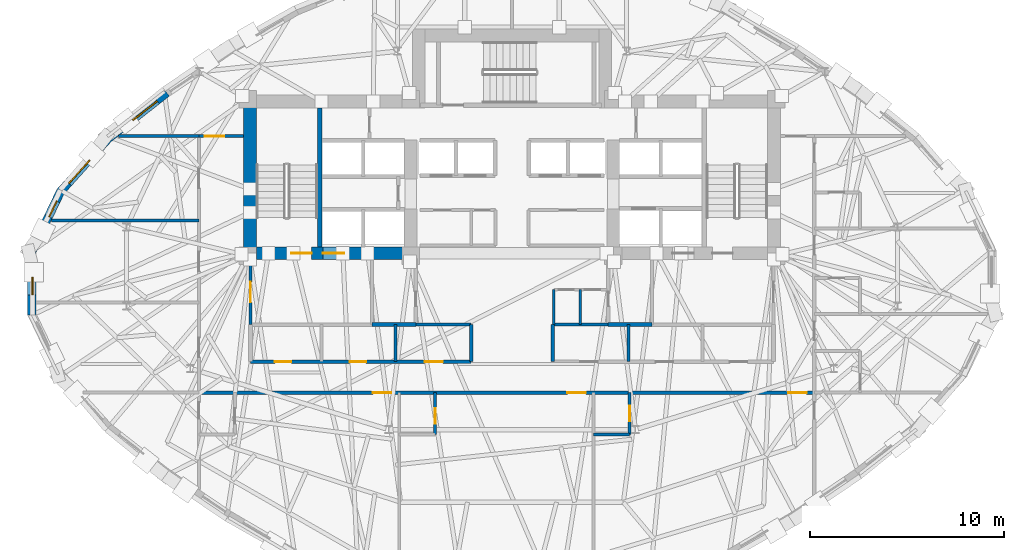
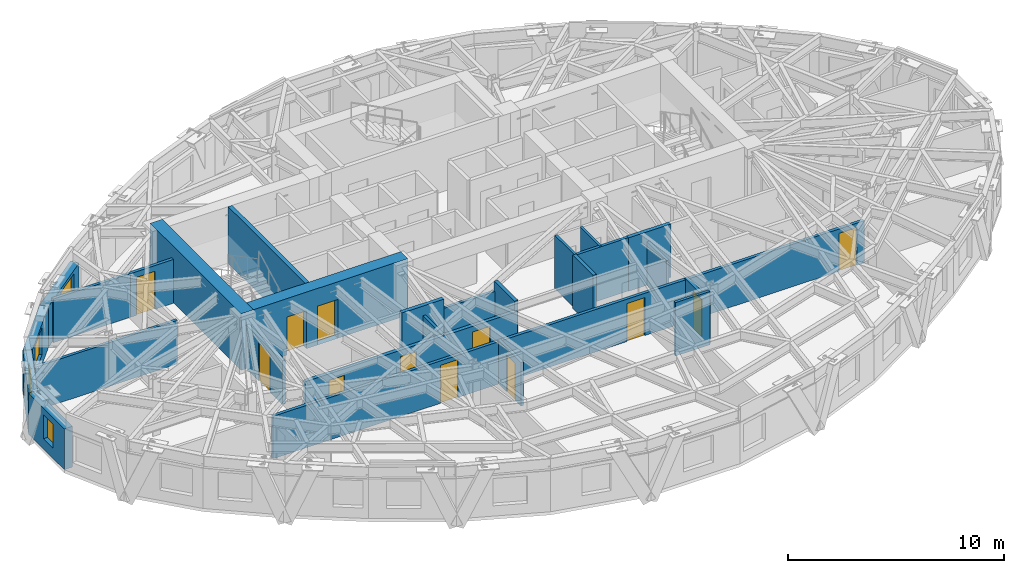
# One storey, part 6 of 14: 26 walls, 12 doors, 4 windows, 16 openings.
"""IFC4 building model written with IfcOpenShell, lengths in metres."""

from ifc_helpers import new_model, si_unit, direction, frame, frame_2d, origin, place, context, subcontext, project, spatial, rectangle, extrude, material, layer, layer_set, type_object, element, fill, save


model = new_model("IFC4")

# Units and contexts
model_context = context("Model", 3, precision=1e-05, world=origin(), true_north=direction((0.0, 1.0)))
body_context = subcontext(model_context, "Body", "Model", "MODEL_VIEW")
ifc_project = project(units=[si_unit("LENGTHUNIT", "METRE"), si_unit("AREAUNIT", "SQUARE_METRE"), si_unit("VOLUMEUNIT", "CUBIC_METRE"), si_unit("PLANEANGLEUNIT", "RADIAN"), si_unit("MASSUNIT", "GRAM", prefix="KILO")], contexts=[model_context])

# Site, building, storey
site_placement = place(None, origin())
site = spatial("IfcSite", under=ifc_project, at=site_placement, CompositionType="ELEMENT")
building_placement = place(site_placement, origin())
building = spatial("IfcBuilding", under=site, at=building_placement, Name="Keldmark Tower", CompositionType="ELEMENT")
storey_placement = place(building_placement, frame((0.0, 0.0, 185.39990234375)))
storey = spatial("IfcBuildingStorey", under=building, at=storey_placement, Name="L51", CompositionType="ELEMENT", Elevation=185.39990234375)

# Wall, openings, doors
ifc_material_1 = material(Name="Heavy Acoustic Plumbing Chase Gypsum Assembly", Category="gypsum")
ifc_layer_1 = layer(ifc_material_1, 0.18994140625)
ifc_layer_set_1 = layer_set([ifc_layer_1], Name="Heavy Acoustic Plumbing Chase Gypsum Assembly")
wall_type_1 = type_object("IfcWallType", Name="Heavy Wet Wall 190 mm", PredefinedType="PLUMBINGWALL", material=ifc_layer_set_1)
wall_1_placement = place(storey_placement, frame((-13.449951171875, -4.050048828125, 0.0), z_axis=(0.0, 0.0, 1.0), x_axis=(1.0, 0.0, 0.0)))
wall_1 = element("IfcWall", 1, at=wall_1_placement, inside=storey, type_object=wall_type_1, Name="L51 Heavy Wet Wall 190 mm SPK-W-S", PredefinedType="PLUMBINGWALL", context=body_context, shape_type="SweptSolid", body=[
    extrude(rectangle(XDim=11.349853515625, YDim=0.18994140625, at=frame_2d((5.6748046875, 0.0))), origin(), (0.0, 0.0, 1.0), 2.47314453125),
])
opening_1_placement = place(wall_1_placement, frame((1.25, 0.0, 0.0)))
opening_1 = element("IfcOpeningElement", 2, at=opening_1_placement, cuts=wall_1, Name="Opening D-WC085", PredefinedType="OPENING", context=body_context, shape_type="SweptSolid", body=[
    extrude(rectangle(XDim=0.85009765625, YDim=2.10009765625, at=frame_2d((0.425048828125, 1.050048828125))), frame((0.0, 0.10498046875, 0.0), z_axis=(0.0, -1.0, 0.0), x_axis=(1.0, 0.0, 0.0)), (0.0, 0.0, 1.0), 0.2099609375),
])
opening_2_placement = place(wall_1_placement, frame((5.10009765625, 0.0, 0.0)))
opening_2 = element("IfcOpeningElement", 3, at=opening_2_placement, cuts=wall_1, Name="Opening D-WC085", PredefinedType="OPENING", context=body_context, shape_type="SweptSolid", body=[
    extrude(rectangle(XDim=0.85009765625, YDim=2.10009765625, at=frame_2d((0.425048828125, 1.050048828125))), frame((0.0, 0.10498046875, 0.0), z_axis=(0.0, -1.0, 0.0), x_axis=(1.0, 0.0, 0.0)), (0.0, 0.0, 1.0), 0.2099609375),
])
opening_3_placement = place(wall_1_placement, frame((8.949951171875, 0.0, 0.0)))
opening_3 = element("IfcOpeningElement", 4, at=opening_3_placement, cuts=wall_1, Name="Opening D-AWC95", PredefinedType="OPENING", context=body_context, shape_type="SweptSolid", body=[
    extrude(rectangle(XDim=0.949951171875, YDim=2.14990234375, at=frame_2d((0.47509765625, 1.074951171875))), frame((0.0, 0.10498046875, 0.0), z_axis=(0.0, -1.0, 0.0), x_axis=(1.0, 0.0, 0.0)), (0.0, 0.0, 1.0), 0.2099609375),
])
ifc_material_2 = material(Name="Painted Solid-Core Architectural Wood", Category="wood")
door_type_1 = type_object("IfcDoorType", Name="Accessible WC Door 950x2150", OperationType="NOTDEFINED", PredefinedType="DOOR", material=ifc_material_2)
door_1_placement = place(opening_3_placement, origin())
door_1 = element("IfcDoor", 5, at=door_1_placement, inside=storey, type_object=door_type_1, Name="L51 Accessible WC Door 950x2150 D-SPKW3-L51", OperationType="SINGLE_SWING_LEFT", OverallHeight=2.14990234375, OverallWidth=0.949951171875, PredefinedType="DOOR", context=body_context, shape_type="SweptSolid", body=[
    extrude(rectangle(XDim=0.949951171875, YDim=2.14990234375, at=frame_2d((0.47509765625, 1.074951171875))), frame((0.0, 0.02490234375, 0.0), z_axis=(0.0, -1.0, 0.0), x_axis=(1.0, 0.0, 0.0)), (0.0, 0.0, 1.0), 0.050048828125),
])
fill(opening_3, door_1)
ifc_material_3 = material(Name="Moisture-Sealed Painted Wood", Category="wood")
door_type_2 = type_object("IfcDoorType", Name="WC Door 850x2100", OperationType="NOTDEFINED", PredefinedType="DOOR", material=ifc_material_3)
door_2_placement = place(opening_1_placement, origin())
door_2 = element("IfcDoor", 6, at=door_2_placement, inside=storey, type_object=door_type_2, Name="L51 WC Door 850x2100 D-SPKW1-L51", OperationType="SINGLE_SWING_LEFT", OverallHeight=2.10009765625, OverallWidth=0.85009765625, PredefinedType="DOOR", context=body_context, shape_type="SweptSolid", body=[
    extrude(rectangle(XDim=0.85009765625, YDim=2.10009765625, at=frame_2d((0.425048828125, 1.050048828125))), frame((0.0, 0.02490234375, 0.0), z_axis=(0.0, -1.0, 0.0), x_axis=(1.0, 0.0, 0.0)), (0.0, 0.0, 1.0), 0.050048828125),
])
fill(opening_1, door_2)
door_3_placement = place(opening_2_placement, origin())
door_3 = element("IfcDoor", 7, at=door_3_placement, inside=storey, type_object=door_type_2, Name="L51 WC Door 850x2100 D-SPKW2-L51", OperationType="SINGLE_SWING_RIGHT", OverallHeight=2.10009765625, OverallWidth=0.85009765625, PredefinedType="DOOR", context=body_context, shape_type="SweptSolid", body=[
    extrude(rectangle(XDim=0.85009765625, YDim=2.10009765625, at=frame_2d((0.425048828125, 1.050048828125))), frame((0.0, 0.02490234375, 0.0), z_axis=(0.0, -1.0, 0.0), x_axis=(1.0, 0.0, 0.0)), (0.0, 0.0, 1.0), 0.050048828125),
])
fill(opening_2, door_3)

# Walls
for number, where, z_axis, x_axis, name in (
    (8, (-2.10009765625, -4.050048828125, 0.0), (0.0, 0.0, 1.0), (0.0, 1.0, 0.0), "L51 Heavy Wet Wall 190 mm SPK-W-E"),
    (9, (2.10009765625, -4.050048828125, 0.0), (0.0, 0.0, 1.0), (0.0, 1.0, 0.0), "L51 Heavy Wet Wall 190 mm SPK-E-W"),
):
    element("IfcWall", number, at=place(storey_placement, frame(where, z_axis=z_axis, x_axis=x_axis)), inside=storey, type_object=wall_type_1, Name=name, PredefinedType="PLUMBINGWALL", context=body_context, shape_type="SweptSolid", body=[
        extrude(rectangle(XDim=1.900146484375, YDim=0.18994140625, at=frame_2d((0.9501953125, 0.0))), origin(), (0.0, 0.0, 1.0), 3.02001953125),
    ])
ifc_material_4 = material(Name="Acoustic Gypsum Board Interior Partition", Category="gypsum")
ifc_layer_2 = layer(ifc_material_4, 0.1298828125)
ifc_layer_set_2 = layer_set([ifc_layer_2], Name="Acoustic Gypsum Board Interior Partition")
wall_type_2 = type_object("IfcWallType", Name="Interior Partition 130 mm", PredefinedType="PARTITIONING", material=ifc_layer_set_2)
for number, where, z_axis, x_axis, name in (
    (10, (2.14990234375, -2.14990234375, 0.0), (0.0, 0.0, 1.0), (0.0, 1.0, 0.0), "L51 Interior Partition 130 mm CSC-E-W"),
    (11, (3.5, -2.14990234375, 0.0), (0.0, 0.0, 1.0), (0.0, 1.0, 0.0), "L51 Interior Partition 130 mm CSC-E-M"),
):
    element("IfcWall", number, at=place(storey_placement, frame(where, z_axis=z_axis, x_axis=x_axis)), inside=storey, type_object=wall_type_2, Name=name, PredefinedType="PARTITIONING", context=body_context, shape_type="SweptSolid", body=[
        extrude(rectangle(XDim=1.7998046875, YDim=0.1298828125, at=frame_2d((0.89990234375, 0.0))), origin(), (0.0, 0.0, 1.0), 3.02001953125),
    ])

# Wall, opening, door
ifc_material_5 = material(Name="Type X Fire-Rated Gypsum Partition Assembly", Category="gypsum")
ifc_layer_3 = layer(ifc_material_5, 0.1650390625)
ifc_layer_set_3 = layer_set([ifc_layer_3], Name="Type X Fire-Rated Gypsum Partition Assembly")
wall_type_3 = type_object("IfcWallType", Name="Rated Partition 165 mm", PredefinedType="PARTITIONING", material=ifc_layer_set_3)
wall_2_placement = place(storey_placement, frame((-13.449951171875, -2.14990234375, 0.0), z_axis=(0.0, 0.0, 1.0), x_axis=(0.0, 1.0, 0.0)))
wall_2 = element("IfcWall", 12, at=wall_2_placement, inside=storey, type_object=wall_type_3, Name="L51 Rated Partition 165 mm FSAE-W-W", PredefinedType="PARTITIONING", context=body_context, shape_type="SweptSolid", body=[
    extrude(rectangle(XDim=3.39990234375, YDim=0.1650390625, at=frame_2d((1.699951171875, 0.0))), origin(), (0.0, 0.0, 1.0), 2.47314453125),
])
opening_4_placement = place(wall_2_placement, frame((1.14990234375, 0.0, 0.0)))
opening_4 = element("IfcOpeningElement", 13, at=opening_4_placement, cuts=wall_2, Name="Opening D-FL105", PredefinedType="OPENING", context=body_context, shape_type="SweptSolid", body=[
    extrude(rectangle(XDim=1.050048828125, YDim=2.14990234375, at=frame_2d((0.52490234375, 1.074951171875))), frame((0.0, 0.092529296875, 0.0), z_axis=(0.0, -1.0, 0.0), x_axis=(1.0, 0.0, 0.0)), (0.0, 0.0, 1.0), 0.18505859375),
])
ifc_material_6 = material(Name="Fire-Rated Mineral-Core Door and Vision Lite", Category="metal")
door_type_3 = type_object("IfcDoorType", Name="Fire Lobby Door 1050x2150", OperationType="NOTDEFINED", PredefinedType="DOOR", material=ifc_material_6)
door_4_placement = place(opening_4_placement, origin())
door_4 = element("IfcDoor", 14, at=door_4_placement, inside=storey, type_object=door_type_3, Name="L51 Fire Lobby Door 1050x2150 D-FSAEW-OUT-L51", OperationType="SINGLE_SWING_LEFT", OverallHeight=2.14990234375, OverallWidth=1.050048828125, PredefinedType="DOOR", context=body_context, shape_type="SweptSolid", body=[
    extrude(rectangle(XDim=1.050048828125, YDim=2.14990234375, at=frame_2d((0.52490234375, 1.074951171875))), frame((0.0, 0.02490234375, 0.0), z_axis=(0.0, -1.0, 0.0), x_axis=(1.0, 0.0, 0.0)), (0.0, 0.0, 1.0), 0.050048828125),
])
fill(opening_4, door_4)

# Wall, openings, doors
wall_3_placement = place(storey_placement, frame((-16.10009765625, -5.64990234375, 0.0), z_axis=(0.0, 0.0, 1.0), x_axis=(1.0, 0.0, 0.0)))
wall_3 = element("IfcWall", 15, at=wall_3_placement, inside=storey, type_object=wall_type_3, Name="L51 Rated Partition 165 mm HCOR-S", PredefinedType="PARTITIONING", context=body_context, shape_type="SweptSolid", body=[
    extrude(rectangle(XDim=31.650146484375, YDim=0.1650390625, at=frame_2d((15.8251953125, 0.0))), origin(), (0.0, 0.0, 1.0), 2.398193359375),
])
opening_5_placement = place(wall_3_placement, frame((8.949951171875, 0.0, 0.0)))
opening_5 = element("IfcOpeningElement", 16, at=opening_5_placement, cuts=wall_3, Name="Opening D-HT095", PredefinedType="OPENING", context=body_context, shape_type="SweptSolid", body=[
    extrude(rectangle(XDim=0.949951171875, YDim=2.14990234375, at=frame_2d((0.47509765625, 1.074951171875))), frame((0.0, 0.092529296875, 0.0), z_axis=(0.0, -1.0, 0.0), x_axis=(1.0, 0.0, 0.0)), (0.0, 0.0, 1.0), 0.18505859375),
])
opening_6_placement = place(wall_3_placement, frame((18.949951171875, 0.0, 0.0)))
opening_6 = element("IfcOpeningElement", 17, at=opening_6_placement, cuts=wall_3, Name="Opening D-HT095", PredefinedType="OPENING", context=body_context, shape_type="SweptSolid", body=[
    extrude(rectangle(XDim=0.949951171875, YDim=2.14990234375, at=frame_2d((0.47509765625, 1.074951171875))), frame((0.0, 0.092529296875, 0.0), z_axis=(0.0, -1.0, 0.0), x_axis=(1.0, 0.0, 0.0)), (0.0, 0.0, 1.0), 0.18505859375),
])
opening_7_placement = place(wall_3_placement, frame((30.300048828125, 0.0, 0.0)))
opening_7 = element("IfcOpeningElement", 18, at=opening_7_placement, cuts=wall_3, Name="Opening D-HT095", PredefinedType="OPENING", context=body_context, shape_type="SweptSolid", body=[
    extrude(rectangle(XDim=0.949951171875, YDim=2.14990234375, at=frame_2d((0.47509765625, 1.074951171875))), frame((0.0, 0.092529296875, 0.0), z_axis=(0.0, -1.0, 0.0), x_axis=(1.0, 0.0, 0.0)), (0.0, 0.0, 1.0), 0.18505859375),
])
ifc_material_7 = material(Name="Solid-Core Acoustic White Oak Fire-Rated Assembly", Category="wood")
door_type_4 = type_object("IfcDoorType", Name="Hotel Entry Door 950x2150", OperationType="NOTDEFINED", PredefinedType="DOOR", material=ifc_material_7)
door_5_placement = place(opening_5_placement, origin())
door_5 = element("IfcDoor", 19, at=door_5_placement, inside=storey, type_object=door_type_4, Name="L51 Hotel Entry Door 950x2150 D-HRS1-L51", OperationType="SINGLE_SWING_RIGHT", OverallHeight=2.14990234375, OverallWidth=0.949951171875, PredefinedType="DOOR", context=body_context, shape_type="SweptSolid", body=[
    extrude(rectangle(XDim=0.949951171875, YDim=2.14990234375, at=frame_2d((0.47509765625, 1.074951171875))), frame((0.0, 0.02490234375, 0.0), z_axis=(0.0, -1.0, 0.0), x_axis=(1.0, 0.0, 0.0)), (0.0, 0.0, 1.0), 0.050048828125),
])
fill(opening_5, door_5)
door_6_placement = place(opening_6_placement, origin())
door_6 = element("IfcDoor", 20, at=door_6_placement, inside=storey, type_object=door_type_4, Name="L51 Hotel Entry Door 950x2150 D-HRS2-L51", OperationType="SINGLE_SWING_LEFT", OverallHeight=2.14990234375, OverallWidth=0.949951171875, PredefinedType="DOOR", context=body_context, shape_type="SweptSolid", body=[
    extrude(rectangle(XDim=0.949951171875, YDim=2.14990234375, at=frame_2d((0.47509765625, 1.074951171875))), frame((0.0, 0.02490234375, 0.0), z_axis=(0.0, -1.0, 0.0), x_axis=(1.0, 0.0, 0.0)), (0.0, 0.0, 1.0), 0.050048828125),
])
fill(opening_6, door_6)
door_7_placement = place(opening_7_placement, origin())
door_7 = element("IfcDoor", 21, at=door_7_placement, inside=storey, type_object=door_type_4, Name="L51 Hotel Entry Door 950x2150 D-HRS3-L51", OperationType="SINGLE_SWING_RIGHT", OverallHeight=2.14990234375, OverallWidth=0.949951171875, PredefinedType="DOOR", context=body_context, shape_type="SweptSolid", body=[
    extrude(rectangle(XDim=0.949951171875, YDim=2.14990234375, at=frame_2d((0.47509765625, 1.074951171875))), frame((0.0, 0.02490234375, 0.0), z_axis=(0.0, -1.0, 0.0), x_axis=(1.0, 0.0, 0.0)), (0.0, 0.0, 1.0), 0.050048828125),
])
fill(opening_7, door_7)

# Wall, opening, door
wall_4_placement = place(storey_placement, frame((-16.10009765625, 7.550048828125, 0.0), z_axis=(0.0, 0.0, 1.0), x_axis=(1.0, 0.0, 0.0)))
wall_4 = element("IfcWall", 22, at=wall_4_placement, inside=storey, type_object=wall_type_3, Name="L51 Rated Partition 165 mm HCOR-WN", PredefinedType="PARTITIONING", context=body_context, shape_type="SweptSolid", body=[
    extrude(rectangle(XDim=2.300048828125, YDim=0.1650390625, at=frame_2d((1.14990234375, 0.0))), origin(), (0.0, 0.0, 1.0), 2.47314453125),
])
opening_8_placement = place(wall_4_placement, frame((0.300048828125, 0.0, 0.0)))
opening_8 = element("IfcOpeningElement", 23, at=opening_8_placement, cuts=wall_4, Name="Opening D-FD100", PredefinedType="OPENING", context=body_context, shape_type="SweptSolid", body=[
    extrude(rectangle(XDim=1.0, YDim=2.14990234375, at=frame_2d((0.5, 1.074951171875))), frame((0.0, 0.092529296875, 0.0), z_axis=(0.0, -1.0, 0.0), x_axis=(1.0, 0.0, 0.0)), (0.0, 0.0, 1.0), 0.18505859375),
])
ifc_material_8 = material(Name="Hollow Metal Fire-Rated Corridor Door", Category="metal")
door_type_5 = type_object("IfcDoorType", Name="Fire Door 1000x2150", OperationType="NOTDEFINED", PredefinedType="DOOR", material=ifc_material_8)
door_8_placement = place(opening_8_placement, origin())
door_8 = element("IfcDoor", 24, at=door_8_placement, inside=storey, type_object=door_type_5, Name="L51 Fire Door 1000x2150 D-HNNW-L51", OperationType="SINGLE_SWING_LEFT", OverallHeight=2.14990234375, OverallWidth=1.0, PredefinedType="DOOR", context=body_context, shape_type="SweptSolid", body=[
    extrude(rectangle(XDim=1.0, YDim=2.14990234375, at=frame_2d((0.5, 1.074951171875))), frame((0.0, 0.02490234375, 0.0), z_axis=(0.0, -1.0, 0.0), x_axis=(1.0, 0.0, 0.0)), (0.0, 0.0, 1.0), 0.050048828125),
])
fill(opening_8, door_8)

# Walls
ifc_material_9 = material(Name="Fire-Resistant Type X Gypsum Shaftliner Coreboard", Category="gypsum")
ifc_layer_4 = layer(ifc_material_9, 0.199951171875)
ifc_layer_set_4 = layer_set([ifc_layer_4], Name="Fire-Resistant Type X Gypsum Shaftliner Coreboard")
wall_type_4 = type_object("IfcWallType", Name="Shaft Wall 200 mm", PredefinedType="SOLIDWALL", material=ifc_layer_set_4)
for number, where, z_axis, x_axis, name in (
    (25, (-7.199951171875, -2.14990234375, 0.0), (0.0, 0.0, 1.0), (1.0, 0.0, 0.0), "L51 Shaft Wall 200 mm RIS-SW-S"),
    (26, (4.949951171875, -2.14990234375, 0.0), (0.0, 0.0, 1.0), (1.0, 0.0, 0.0), "L51 Shaft Wall 200 mm RIS-SE-S"),
):
    element("IfcWall", number, at=place(storey_placement, frame(where, z_axis=z_axis, x_axis=x_axis)), inside=storey, type_object=wall_type_4, Name=name, PredefinedType="SOLIDWALL", context=body_context, shape_type="SweptSolid", body=[
        extrude(rectangle(XDim=2.25, YDim=0.199951171875, at=frame_2d((1.125, 0.0))), origin(), (0.0, 0.0, 1.0), 3.02001953125),
    ])
ifc_material_10 = material(Name="Concrete C50/60", Category="concrete")
ifc_layer_5 = layer(ifc_material_10, 0.219970703125)
ifc_layer_set_5 = layer_set([ifc_layer_5], Name="Concrete C50/60")
wall_type_5 = type_object("IfcWallType", Name="Stair Core Shear Wall 220 mm", PredefinedType="SHEAR", material=ifc_layer_set_5)
wall_5_placement = place(storey_placement, frame((-9.889892578125, 1.85009765625, 0.0), z_axis=(0.0, 0.0, 1.0), x_axis=(0.0, 1.0, 0.0)))
element("IfcWall", 27, at=wall_5_placement, inside=storey, type_object=wall_type_5, Name="L51 West Stair Core Shear Wall", PredefinedType="SHEAR", context=body_context, shape_type="SweptSolid", body=[
    extrude(rectangle(XDim=7.14990234375, YDim=0.219970703125, at=frame_2d((3.574951171875, 0.0))), origin(), (0.0, 0.0, 1.0), 3.2001953125),
])

# Wall, opening, window
ifc_material_11 = material(Name="Ironspot Manganese Brick and Kasota Buff Limestone Spandrel Assembly", Category="masonry")
ifc_layer_6 = layer(ifc_material_11, 0.43994140625)
ifc_layer_set_6 = layer_set([ifc_layer_6], Name="Ironspot Manganese Brick and Kasota Buff Limestone Spandrel Assembly")
wall_type_6 = type_object("IfcWallType", Name="Tower Brick Pier and Spandrel Wall 440 mm", PredefinedType="STANDARD", material=ifc_layer_set_6)
wall_6_placement = place(storey_placement, frame((-20.787353515625, 7.408203125, 0.0), z_axis=(0.0, 0.0, 1.0), x_axis=(0.787518383176, 0.616291161838, 0.0)))
wall_6 = element("IfcWall", 28, at=wall_6_placement, inside=storey, type_object=wall_type_6, Name="L51 Exterior Brick and Spandrel Wall 13", PredefinedType="STANDARD", context=body_context, shape_type="SweptSolid", body=[
    extrude(rectangle(XDim=3.849853515625, YDim=0.43994140625, at=frame_2d((1.9248046875, 0.0))), origin(), (0.0, 0.0, 1.0), 2.315185546875),
])
opening_9_placement = place(wall_6_placement, frame((1.599609375, 0.0, 0.580078125)))
opening_9 = element("IfcOpeningElement", 29, at=opening_9_placement, cuts=wall_6, Name="Opening W-04", PredefinedType="OPENING", context=body_context, shape_type="SweptSolid", body=[
    extrude(rectangle(XDim=1.60009765625, YDim=1.550048828125, at=frame_2d((0.800048828125, 0.77490234375))), frame((0.0, 0.22998046875, 0.0), z_axis=(0.0, -1.0, 0.0), x_axis=(1.0, 0.0, 0.0)), (0.0, 0.0, 1.0), 0.4599609375),
])
ifc_material_12 = material(Name="Thermally Broken Anodized Aluminum and Triple Low-E Argon Glazing", Category="aluminium")
window_type_1 = type_object("IfcWindowType", Name="Hotel Deep-Set Operable Window 1600x1550", PartitioningType="DOUBLE_PANEL_HORIZONTAL", PredefinedType="WINDOW", material=ifc_material_12)
window_1_placement = place(opening_9_placement, origin())
window_1 = element("IfcWindow", 30, at=window_1_placement, inside=storey, type_object=window_type_1, Name="L51 Deep-Set Window 13", OverallHeight=1.550048828125, OverallWidth=1.60009765625, PartitioningType="SINGLE_PANEL", PredefinedType="WINDOW", context=body_context, shape_type="SweptSolid", body=[
    extrude(rectangle(XDim=1.60009765625, YDim=1.550048828125, at=frame_2d((0.800048828125, 0.77490234375))), frame((0.0, -0.010009765625, 0.0), z_axis=(0.0, -1.0, 0.0), x_axis=(1.0, 0.0, 0.0)), (0.0, 0.0, 1.0), 0.06005859375),
])
fill(opening_9, window_1)

wall_7_placement = place(storey_placement, frame((-23.2470703125, 4.667236328125, 0.0), z_axis=(0.0, 0.0, 1.0), x_axis=(0.668547778607, 0.743669192396, 0.0)))
wall_7 = element("IfcWall", 31, at=wall_7_placement, inside=storey, type_object=wall_type_6, Name="L51 Exterior Brick and Spandrel Wall 14", PredefinedType="STANDARD", context=body_context, shape_type="SweptSolid", body=[
    extrude(rectangle(XDim=3.72119140625, YDim=0.43994140625, at=frame_2d((1.860595703125, 0.0))), origin(), (0.0, 0.0, 1.0), 2.315185546875),
])
opening_10_placement = place(wall_7_placement, frame((0.642578125, 0.0, 0.580078125)))
opening_10 = element("IfcOpeningElement", 32, at=opening_10_placement, cuts=wall_7, Name="Opening W-04", PredefinedType="OPENING", context=body_context, shape_type="SweptSolid", body=[
    extrude(rectangle(XDim=1.60009765625, YDim=1.550048828125, at=frame_2d((0.800048828125, 0.77490234375))), frame((0.0, 0.22998046875, 0.0), z_axis=(0.0, -1.0, 0.0), x_axis=(1.0, 0.0, 0.0)), (0.0, 0.0, 1.0), 0.4599609375),
])
window_2_placement = place(opening_10_placement, origin())
window_2 = element("IfcWindow", 33, at=window_2_placement, inside=storey, type_object=window_type_1, Name="L51 Deep-Set Window 14", OverallHeight=1.550048828125, OverallWidth=1.60009765625, PartitioningType="SINGLE_PANEL", PredefinedType="WINDOW", context=body_context, shape_type="SweptSolid", body=[
    extrude(rectangle(XDim=1.60009765625, YDim=1.550048828125, at=frame_2d((0.800048828125, 0.77490234375))), frame((0.0, -0.010009765625, 0.0), z_axis=(0.0, -1.0, 0.0), x_axis=(1.0, 0.0, 0.0)), (0.0, 0.0, 1.0), 0.06005859375),
])
fill(opening_10, window_2)

wall_8_placement = place(storey_placement, frame((-24.724609375, 1.56884765625, 0.0), z_axis=(0.0, 0.0, 1.0), x_axis=(0.43276286683, 0.90150779314, 0.0)))
wall_8 = element("IfcWall", 34, at=wall_8_placement, inside=storey, type_object=wall_type_6, Name="L51 Exterior Brick and Spandrel Wall 15", PredefinedType="STANDARD", context=body_context, shape_type="SweptSolid", body=[
    extrude(rectangle(XDim=3.494384765625, YDim=0.43994140625, at=frame_2d((1.7470703125, 0.0))), origin(), (0.0, 0.0, 1.0), 2.315185546875),
])
opening_11_placement = place(wall_8_placement, frame((2.04541015625, 0.0, 0.580078125)))
opening_11 = element("IfcOpeningElement", 35, at=opening_11_placement, cuts=wall_8, Name="Opening W-09", PredefinedType="OPENING", context=body_context, shape_type="SweptSolid", body=[
    extrude(rectangle(XDim=0.89990234375, YDim=1.35009765625, at=frame_2d((0.449951171875, 0.675048828125))), frame((0.0, 0.22998046875, 0.0), z_axis=(0.0, -1.0, 0.0), x_axis=(1.0, 0.0, 0.0)), (0.0, 0.0, 1.0), 0.4599609375),
])
ifc_material_13 = material(Name="Thermally Broken Anodized Aluminum and Triple Low-E Argon Glazing", Category="aluminium")
window_type_2 = type_object("IfcWindowType", Name="Corner Pier Deep-Set Window 900x1350", PartitioningType="SINGLE_PANEL", PredefinedType="WINDOW", material=ifc_material_13)
window_3_placement = place(opening_11_placement, origin())
window_3 = element("IfcWindow", 36, at=window_3_placement, inside=storey, type_object=window_type_2, Name="L51 Deep-Set Window 15", OverallHeight=1.35009765625, OverallWidth=0.89990234375, PartitioningType="SINGLE_PANEL", PredefinedType="WINDOW", context=body_context, shape_type="SweptSolid", body=[
    extrude(rectangle(XDim=0.89990234375, YDim=1.35009765625, at=frame_2d((0.449951171875, 0.675048828125))), frame((0.0, -0.010009765625, 0.0), z_axis=(0.0, -1.0, 0.0), x_axis=(1.0, 0.0, 0.0)), (0.0, 0.0, 1.0), 0.06005859375),
])
fill(opening_11, window_3)

wall_9_placement = place(storey_placement, frame((-24.702880859375, -1.6640625, 0.0), z_axis=(0.0, 0.0, 1.0), x_axis=(0.0, 1.0, 0.0)))
wall_9 = element("IfcWall", 37, at=wall_9_placement, inside=storey, type_object=wall_type_6, Name="L51 Exterior Brick and Spandrel Wall 16", PredefinedType="STANDARD", context=body_context, shape_type="SweptSolid", body=[
    extrude(rectangle(XDim=3.328125, YDim=0.43994140625, at=frame_2d((1.6640625, 0.0))), origin(), (0.0, 0.0, 1.0), 2.315185546875),
])
opening_12_placement = place(wall_9_placement, frame((1.041015625, 0.0, 0.580078125)))
opening_12 = element("IfcOpeningElement", 38, at=opening_12_placement, cuts=wall_9, Name="Opening W-09", PredefinedType="OPENING", context=body_context, shape_type="SweptSolid", body=[
    extrude(rectangle(XDim=0.89990234375, YDim=1.35009765625, at=frame_2d((0.449951171875, 0.675048828125))), frame((0.0, 0.22998046875, 0.0), z_axis=(0.0, -1.0, 0.0), x_axis=(1.0, 0.0, 0.0)), (0.0, 0.0, 1.0), 0.4599609375),
])
window_4_placement = place(opening_12_placement, origin())
window_4 = element("IfcWindow", 39, at=window_4_placement, inside=storey, type_object=window_type_2, Name="L51 Deep-Set Window 16", OverallHeight=1.35009765625, OverallWidth=0.89990234375, PartitioningType="SINGLE_PANEL", PredefinedType="WINDOW", context=body_context, shape_type="SweptSolid", body=[
    extrude(rectangle(XDim=0.89990234375, YDim=1.35009765625, at=frame_2d((0.449951171875, 0.675048828125))), frame((0.0, -0.010009765625, 0.0), z_axis=(0.0, -1.0, 0.0), x_axis=(1.0, 0.0, 0.0)), (0.0, 0.0, 1.0), 0.06005859375),
])
fill(opening_12, window_4)

# Wall
ifc_material_14 = material(Name="Concrete C50/60", Category="concrete")
ifc_layer_7 = layer(ifc_material_14, 0.64990234375)
ifc_layer_set_7 = layer_set([ifc_layer_7], Name="Concrete C50/60")
wall_type_7 = type_object("IfcWallType", Name="Upper-Mid Core Shear Wall 650 mm", PredefinedType="SHEAR", material=ifc_layer_set_7)
wall_10_placement = place(storey_placement, frame((-13.47509765625, 1.199951171875, 0.0), z_axis=(0.0, 0.0, 1.0), x_axis=(0.0, 1.0, 0.0)))
element("IfcWall", 40, at=wall_10_placement, inside=storey, type_object=wall_type_7, Name="L51 West Core Outer Shear Wall", PredefinedType="SHEAR", context=body_context, shape_type="SweptSolid", body=[
    extrude(rectangle(XDim=8.449951171875, YDim=0.64990234375, at=frame_2d((4.22509765625, 0.0))), origin(), (0.0, 0.0, 1.0), 3.2001953125),
])

# Wall, openings, doors
wall_11_placement = place(storey_placement, frame((-4.875, 1.52490234375, 0.0), z_axis=(0.0, 0.0, 1.0), x_axis=(-1.0, 0.0, 0.0)))
wall_11 = element("IfcWall", 41, at=wall_11_placement, inside=storey, type_object=wall_type_7, Name="L51 West Core South Shear Wall", PredefinedType="SHEAR", context=body_context, shape_type="SweptSolid", body=[
    extrude(rectangle(XDim=8.925048828125, YDim=0.64990234375, at=frame_2d((4.46240234375, 0.0))), origin(), (0.0, 0.0, 1.0), 3.2001953125),
])
opening_13_placement = place(wall_11_placement, frame((5.425048828125, 0.0, 0.0)))
opening_13 = element("IfcOpeningElement", 42, at=opening_13_placement, cuts=wall_11, Name="Opening D-ST105", PredefinedType="OPENING", context=body_context, shape_type="SweptSolid", body=[
    extrude(rectangle(XDim=1.050048828125, YDim=2.14990234375, at=frame_2d((0.52490234375, 1.074951171875))), frame((0.0, 0.3349609375, 0.0), z_axis=(0.0, -1.0, 0.0), x_axis=(1.0, 0.0, 0.0)), (0.0, 0.0, 1.0), 0.669921875),
])
opening_14_placement = place(wall_11_placement, frame((3.7548828125, 0.0, 0.0)))
opening_14 = element("IfcOpeningElement", 43, at=opening_14_placement, cuts=wall_11, Name="Opening LD-110", PredefinedType="OPENING", context=body_context, shape_type="SweptSolid", body=[
    extrude(rectangle(XDim=1.10009765625, YDim=2.199951171875, at=frame_2d((0.550048828125, 1.10009765625))), frame((0.0, 0.3349609375, 0.0), z_axis=(0.0, -1.0, 0.0), x_axis=(1.0, 0.0, 0.0)), (0.0, 0.0, 1.0), 0.669921875),
])
ifc_material_15 = material(Name="Brushed Bronze Hoistway Sliding Leaf", Category="metal")
door_type_6 = type_object("IfcDoorType", Name="Lift Landing Sliding Door 1100x2200", OperationType="SLIDING_TO_LEFT", PredefinedType="DOOR", material=ifc_material_15)
door_9_placement = place(opening_14_placement, origin())
door_9 = element("IfcDoor", 44, at=door_9_placement, inside=storey, type_object=door_type_6, Name="L51 Lift Landing Sliding Door 1100x2200 LD-EL-FS1-L51", OperationType="SLIDING_TO_LEFT", OverallHeight=2.199951171875, OverallWidth=1.10009765625, PredefinedType="DOOR", context=body_context, shape_type="SweptSolid", body=[
    extrude(rectangle(XDim=1.10009765625, YDim=2.199951171875, at=frame_2d((0.550048828125, 1.10009765625))), frame((0.0, 0.02490234375, 0.0), z_axis=(0.0, -1.0, 0.0), x_axis=(1.0, 0.0, 0.0)), (0.0, 0.0, 1.0), 0.050048828125),
])
fill(opening_14, door_9)
ifc_material_16 = material(Name="Hollow Metal Fire-Rated Door Assembly", Category="metal")
door_type_7 = type_object("IfcDoorType", Name="Stair Fire Door 1050x2150", OperationType="NOTDEFINED", PredefinedType="DOOR", material=ifc_material_16)
door_10_placement = place(opening_13_placement, origin())
door_10 = element("IfcDoor", 45, at=door_10_placement, inside=storey, type_object=door_type_7, Name="L51 Stair Fire Door 1050x2150 D-ST1-L51", OperationType="SINGLE_SWING_RIGHT", OverallHeight=2.14990234375, OverallWidth=1.050048828125, PredefinedType="DOOR", context=body_context, shape_type="SweptSolid", body=[
    extrude(rectangle(XDim=1.050048828125, YDim=2.14990234375, at=frame_2d((0.52490234375, 1.074951171875))), frame((0.0, 0.02490234375, 0.0), z_axis=(0.0, -1.0, 0.0), x_axis=(1.0, 0.0, 0.0)), (0.0, 0.0, 1.0), 0.050048828125),
])
fill(opening_13, door_10)

# Walls
ifc_material_17 = material(Name="Moisture-Resistant Gypsum Plumbing Partition", Category="gypsum")
ifc_layer_8 = layer(ifc_material_17, 0.14990234375)
ifc_layer_set_8 = layer_set([ifc_layer_8], Name="Moisture-Resistant Gypsum Plumbing Partition")
wall_type_8 = type_object("IfcWallType", Name="Wet Wall 150 mm", PredefinedType="PLUMBINGWALL", material=ifc_layer_set_8)
wall_12_placement = place(storey_placement, frame((-4.949951171875, -2.14990234375, 0.0), z_axis=(0.0, 0.0, 1.0), x_axis=(1.0, 0.0, 0.0)))
element("IfcWall", 46, at=wall_12_placement, inside=storey, type_object=wall_type_8, Name="L51 Wet Wall 150 mm SPK-W-N", PredefinedType="PLUMBINGWALL", context=body_context, shape_type="SweptSolid", body=[
    extrude(rectangle(XDim=2.849853515625, YDim=0.14990234375, at=frame_2d((1.4248046875, 0.0))), origin(), (0.0, 0.0, 1.0), 2.47314453125),
])
wall_13_placement = place(storey_placement, frame((-6.0, -4.050048828125, 0.0), z_axis=(0.0, 0.0, 1.0), x_axis=(0.0, 1.0, 0.0)))
element("IfcWall", 47, at=wall_13_placement, inside=storey, type_object=wall_type_8, Name="L51 Wet Wall 150 mm SPK-W-D2", PredefinedType="PLUMBINGWALL", context=body_context, shape_type="SweptSolid", body=[
    extrude(rectangle(XDim=1.900146484375, YDim=0.14990234375, at=frame_2d((0.9501953125, 0.0))), origin(), (0.0, 0.0, 1.0), 2.47314453125),
])
wall_14_placement = place(storey_placement, frame((2.10009765625, -2.14990234375, 0.0), z_axis=(0.0, 0.0, 1.0), x_axis=(1.0, 0.0, 0.0)))
element("IfcWall", 48, at=wall_14_placement, inside=storey, type_object=wall_type_8, Name="L51 Wet Wall 150 mm SPK-E-N", PredefinedType="PLUMBINGWALL", context=body_context, shape_type="SweptSolid", body=[
    extrude(rectangle(XDim=2.849853515625, YDim=0.14990234375, at=frame_2d((1.4248046875, 0.0))), origin(), (0.0, 0.0, 1.0), 3.02001953125),
])
wall_15_placement = place(storey_placement, frame((6.0, -4.050048828125, 0.0), z_axis=(0.0, 0.0, 1.0), x_axis=(0.0, 1.0, 0.0)))
element("IfcWall", 49, at=wall_15_placement, inside=storey, type_object=wall_type_8, Name="L51 Wet Wall 150 mm SPK-E-D1", PredefinedType="PLUMBINGWALL", context=body_context, shape_type="SweptSolid", body=[
    extrude(rectangle(XDim=1.900146484375, YDim=0.14990234375, at=frame_2d((0.9501953125, 0.0))), origin(), (0.0, 0.0, 1.0), 2.47314453125),
])
wall_16_placement = place(storey_placement, frame((-20.236328125, 7.550048828125, 0.0), z_axis=(0.0, 0.0, 1.0), x_axis=(1.0, 0.0, 0.0)))
element("IfcWall", 50, at=wall_16_placement, inside=storey, type_object=wall_type_8, Name="L51 Wet Wall 150 mm HW-CAP-N", PredefinedType="PLUMBINGWALL", context=body_context, shape_type="SweptSolid", body=[
    extrude(rectangle(XDim=4.13623046875, YDim=0.14990234375, at=frame_2d((2.068115234375, 0.0))), origin(), (0.0, 0.0, 1.0), 2.47314453125),
])

# Wall, opening, door
wall_17_placement = place(storey_placement, frame((-3.949951171875, -7.800048828125, 0.0), z_axis=(0.0, 0.0, 1.0), x_axis=(0.0, 1.0, 0.0)))
wall_17 = element("IfcWall", 51, at=wall_17_placement, inside=storey, type_object=wall_type_8, Name="L51 Wet Wall 150 mm HB-S2-E", PredefinedType="PLUMBINGWALL", context=body_context, shape_type="SweptSolid", body=[
    extrude(rectangle(XDim=2.150146484375, YDim=0.14990234375, at=frame_2d((1.0751953125, 0.0))), origin(), (0.0, 0.0, 1.0), 2.47314453125),
])
opening_15_placement = place(wall_17_placement, frame((0.550048828125, 0.0, 0.0)))
opening_15 = element("IfcOpeningElement", 52, at=opening_15_placement, cuts=wall_17, Name="Opening D-BT080", PredefinedType="OPENING", context=body_context, shape_type="SweptSolid", body=[
    extrude(rectangle(XDim=0.800048828125, YDim=2.10009765625, at=frame_2d((0.39990234375, 1.050048828125))), frame((0.0, 0.0849609375, 0.0), z_axis=(0.0, -1.0, 0.0), x_axis=(1.0, 0.0, 0.0)), (0.0, 0.0, 1.0), 0.169921875),
])
ifc_material_18 = material(Name="Moisture-Sealed Stained Wood", Category="wood")
door_type_8 = type_object("IfcDoorType", Name="Bathroom Door 800x2100", OperationType="NOTDEFINED", PredefinedType="DOOR", material=ifc_material_18)
door_11_placement = place(opening_15_placement, origin())
door_11 = element("IfcDoor", 53, at=door_11_placement, inside=storey, type_object=door_type_8, Name="L51 Bathroom Door 800x2100 D-HBS2-L51", OperationType="SINGLE_SWING_RIGHT", OverallHeight=2.10009765625, OverallWidth=0.800048828125, PredefinedType="DOOR", context=body_context, shape_type="SweptSolid", body=[
    extrude(rectangle(XDim=0.800048828125, YDim=2.10009765625, at=frame_2d((0.39990234375, 1.050048828125))), frame((0.0, 0.02490234375, 0.0), z_axis=(0.0, -1.0, 0.0), x_axis=(1.0, 0.0, 0.0)), (0.0, 0.0, 1.0), 0.050048828125),
])
fill(opening_15, door_11)

wall_18_placement = place(storey_placement, frame((6.050048828125, -7.800048828125, 0.0), z_axis=(0.0, 0.0, 1.0), x_axis=(0.0, 1.0, 0.0)))
wall_18 = element("IfcWall", 54, at=wall_18_placement, inside=storey, type_object=wall_type_8, Name="L51 Wet Wall 150 mm HB-S3-E", PredefinedType="PLUMBINGWALL", context=body_context, shape_type="SweptSolid", body=[
    extrude(rectangle(XDim=2.150146484375, YDim=0.14990234375, at=frame_2d((1.0751953125, 0.0))), origin(), (0.0, 0.0, 1.0), 2.47314453125),
])
opening_16_placement = place(wall_18_placement, frame((0.669921875, 0.0, 0.0)))
opening_16 = element("IfcOpeningElement", 55, at=opening_16_placement, cuts=wall_18, Name="Opening D-BT080", PredefinedType="OPENING", context=body_context, shape_type="SweptSolid", body=[
    extrude(rectangle(XDim=0.800048828125, YDim=2.10009765625, at=frame_2d((0.39990234375, 1.050048828125))), frame((0.0, 0.0849609375, 0.0), z_axis=(0.0, -1.0, 0.0), x_axis=(1.0, 0.0, 0.0)), (0.0, 0.0, 1.0), 0.169921875),
])
door_12_placement = place(opening_16_placement, origin())
door_12 = element("IfcDoor", 56, at=door_12_placement, inside=storey, type_object=door_type_8, Name="L51 Bathroom Door 800x2100 D-HBS3-L51", OperationType="SINGLE_SWING_RIGHT", OverallHeight=2.10009765625, OverallWidth=0.800048828125, PredefinedType="DOOR", context=body_context, shape_type="SweptSolid", body=[
    extrude(rectangle(XDim=0.800048828125, YDim=2.10009765625, at=frame_2d((0.39990234375, 1.050048828125))), frame((0.0, 0.02490234375, 0.0), z_axis=(0.0, -1.0, 0.0), x_axis=(1.0, 0.0, 0.0)), (0.0, 0.0, 1.0), 0.050048828125),
])
fill(opening_16, door_12)

# Walls
wall_19_placement = place(storey_placement, frame((4.199951171875, -7.800048828125, 0.0), z_axis=(0.0, 0.0, 1.0), x_axis=(1.0, 0.0, 0.0)))
element("IfcWall", 57, at=wall_19_placement, inside=storey, type_object=wall_type_8, Name="L51 Wet Wall 150 mm HB-S3-S", PredefinedType="PLUMBINGWALL", context=body_context, shape_type="SweptSolid", body=[
    extrude(rectangle(XDim=1.85009765625, YDim=0.14990234375, at=frame_2d((0.925048828125, 0.0))), origin(), (0.0, 0.0, 1.0), 3.02001953125),
])
wall_20_placement = place(storey_placement, frame((-23.688720703125, 3.199951171875, 0.0), z_axis=(0.0, 0.0, 1.0), x_axis=(1.0, 0.0, 0.0)))
element("IfcWall", 58, at=wall_20_placement, inside=storey, type_object=wall_type_8, Name="L51 Wet Wall 150 mm HW-DIV-2", PredefinedType="PLUMBINGWALL", context=body_context, shape_type="SweptSolid", body=[
    extrude(rectangle(XDim=7.588623046875, YDim=0.14990234375, at=frame_2d((3.79443359375, 0.0))), origin(), (0.0, 0.0, 1.0), 2.47314453125),
])

save(model, "model.ifc")
